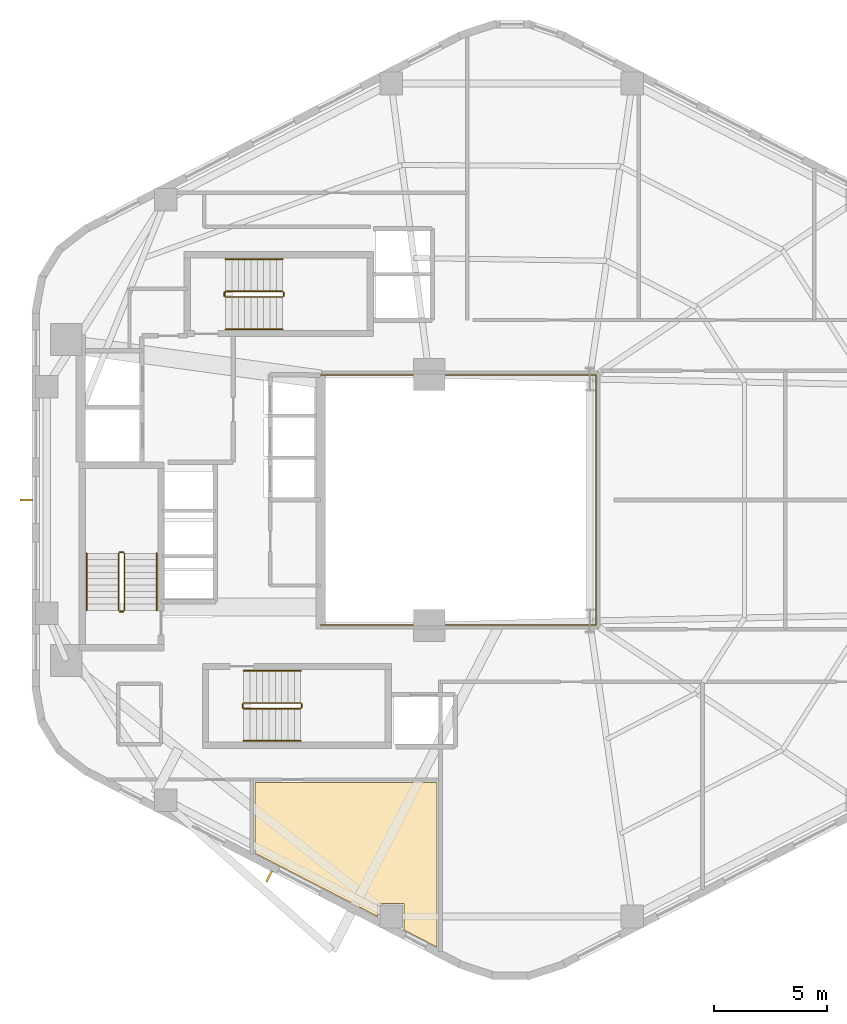
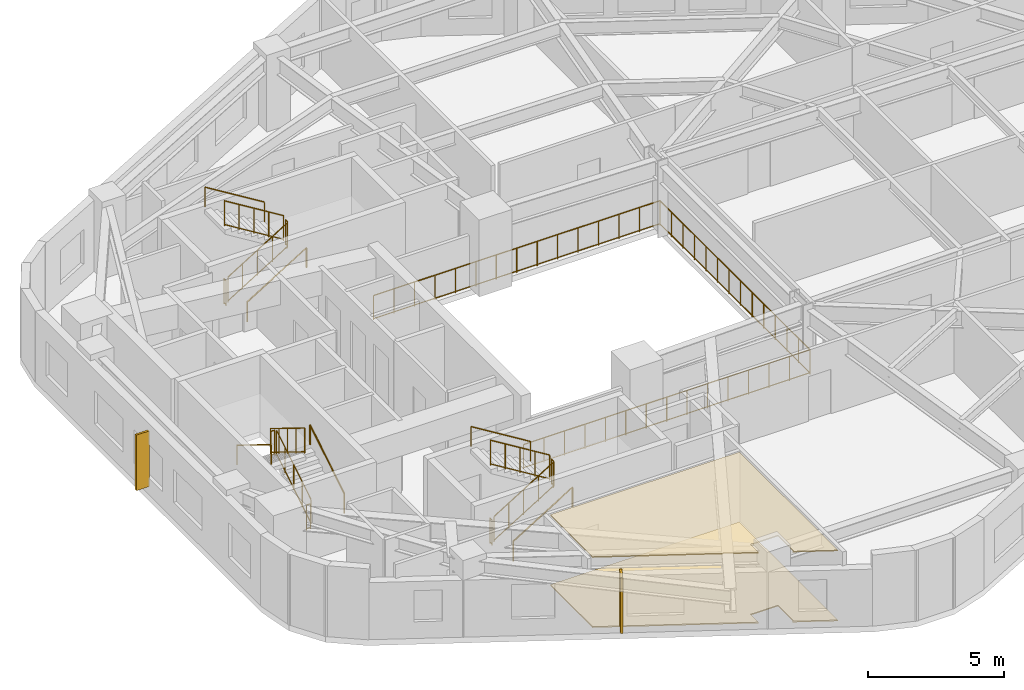
# One storey, part 6 of 6: 19 railings, 2 coverings, 2 shading devices.
"""IFC4 building model written with IfcOpenShell, lengths in metres."""

import ifcopenshell
import ifcopenshell.guid

model = None  # the IFC model being written
_history = None  # IfcOwnerHistory: only IFC2X3 demands one
_inside = {}  # id of a spatial element -> (the spatial element, [elements in it])
_under = {}  # id of a project, library or spatial element -> (it, [spatial elements below it])
_declared = {}  # id of a project -> (the project, [libraries it declares])
_typed = {}  # id of a type object -> (the type object, [elements of that type])
_made_of = {}  # id of a material, layer set ... -> (it, [elements and type objects made of it])


def new_model(schema):
    """Start an empty IFC model of exactly this schema.

    Asked for "IFC4X3", IfcOpenShell would pick the latest addendum, in which some entities
    have other attributes; the version numbers below select the first issue.
    IFC2X3 requires an IfcOwnerHistory on every rooted entity: one is made here for all.
    """
    global model, _history
    if schema == "IFC4X3":
        model = ifcopenshell.file(schema_version=(4, 3, 0, 0))
    else:
        model = ifcopenshell.file(schema=schema)
    _inside.clear()
    _under.clear()
    _declared.clear()
    _typed.clear()
    _made_of.clear()
    _history = None
    if model.schema == "IFC2X3":
        org = make("IfcOrganization", Name="unknown")
        user = make(
            "IfcPersonAndOrganization",
            ThePerson=make("IfcPerson", FamilyName="unknown"),
            TheOrganization=org,
        )
        app = make(
            "IfcApplication",
            ApplicationDeveloper=org,
            Version="unknown",
            ApplicationFullName="unknown",
            ApplicationIdentifier="unknown",
        )
        _history = make(
            "IfcOwnerHistory",
            OwningUser=user,
            OwningApplication=app,
            ChangeAction="ADDED",
            CreationDate=0,
        )
    return model


def make(cls, **values):
    """One entity of the class cls with the attributes given. An attribute that is None is left unset."""
    return model.create_entity(
        cls, **{name: value for name, value in values.items() if value is not None}
    )


def rooted(cls, **values):
    """An entity with a GlobalId (a new one), such as an element, a storey or a relation."""
    return make(cls, GlobalId=ifcopenshell.guid.new(), OwnerHistory=_history, **values)


def si_unit(unit_type, name, prefix=None):
    """IfcSIUnit, for example si_unit("LENGTHUNIT", "METRE", prefix="MILLI")."""
    return make("IfcSIUnit", UnitType=unit_type, Prefix=prefix, Name=name)


def assignment(units):
    """IfcUnitAssignment: the units of a project."""
    return None if units is None else make("IfcUnitAssignment", Units=units)


def point(xyz):
    """IfcCartesianPoint."""
    return None if xyz is None else make("IfcCartesianPoint", Coordinates=xyz)


def direction(xyz):
    """IfcDirection."""
    return None if xyz is None else make("IfcDirection", DirectionRatios=xyz)


def frame(location, z_axis=None, x_axis=None):
    """IfcAxis2Placement3D, a coordinate frame: its origin and axes. An axis left out is left unset."""
    return make(
        "IfcAxis2Placement3D",
        Location=point(location),
        Axis=direction(z_axis),
        RefDirection=direction(x_axis),
    )


def frame_2d(location, x_axis=None):
    """IfcAxis2Placement2D, a coordinate frame in the plane: its origin and x axis."""
    return make(
        "IfcAxis2Placement2D", Location=point(location), RefDirection=direction(x_axis)
    )


def origin():
    """The frame at (0, 0, 0) with its axes left unset."""
    return frame((0.0, 0.0, 0.0))


def origin_2d():
    """The frame at (0, 0) in the plane with its x axis left unset."""
    return frame_2d((0.0, 0.0))


def place(relative_to, where):
    """IfcLocalPlacement: puts the frame where relative to a parent placement (None: the world)."""
    return make(
        "IfcLocalPlacement", PlacementRelTo=relative_to, RelativePlacement=where
    )


def context(
    kind, dimensions, precision=None, world=None, true_north=None, identifier=None
):
    """IfcGeometricRepresentationContext, for example the 3D "Model" context."""
    return make(
        "IfcGeometricRepresentationContext",
        ContextIdentifier=identifier,
        ContextType=kind,
        CoordinateSpaceDimension=dimensions,
        Precision=precision,
        WorldCoordinateSystem=world,
        TrueNorth=true_north,
    )


def subcontext(parent, identifier, kind, view, scale=None):
    """IfcGeometricRepresentationSubContext, for example "Body" below "Model"."""
    return make(
        "IfcGeometricRepresentationSubContext",
        ContextIdentifier=identifier,
        ContextType=kind,
        ParentContext=parent,
        TargetScale=scale,
        TargetView=view,
    )


def project(units=None, contexts=None):
    """IfcProject with its units and contexts."""
    return rooted(
        "IfcProject",
        Name="project",
        RepresentationContexts=contexts,
        UnitsInContext=assignment(units),
    )


def spatial(cls, under=None, at=None, **own):
    """A site, building, storey or space (cls), placed at a placement, below another one or the project."""
    s = rooted(cls, ObjectPlacement=at, **own)
    if under is not None:
        _under.setdefault(under.id(), (under, []))[1].append(s)
    return s


def polyline(points):
    """IfcPolyline through the points."""
    return make("IfcPolyline", Points=[point(p) for p in points])


def profile(cls, at=None, kind="AREA", **sizes):
    """A parametric profile (cls). Its sizes go by their IFC names, for example OverallWidth=200.0."""
    return make(cls, ProfileType=kind, Position=at, **sizes)


def rectangle(**sizes):
    """IfcRectangleProfileDef."""
    return profile("IfcRectangleProfileDef", **sizes)


def circle(**sizes):
    """IfcCircleProfileDef."""
    return profile("IfcCircleProfileDef", **sizes)


def outline(outer, holes=None, kind="AREA"):
    """IfcArbitraryClosedProfileDef: a profile drawn as a closed curve; with holes, ...WithVoids."""
    if holes is None:
        return make("IfcArbitraryClosedProfileDef", ProfileType=kind, OuterCurve=outer)
    return make(
        "IfcArbitraryProfileDefWithVoids",
        ProfileType=kind,
        OuterCurve=outer,
        InnerCurves=holes,
    )


def extrude(swept, where, along, depth):
    """IfcExtrudedAreaSolid: the profile swept, set in the frame where, extruded along a direction by depth."""
    return make(
        "IfcExtrudedAreaSolid",
        SweptArea=swept,
        Position=where,
        ExtrudedDirection=direction(along),
        Depth=depth,
    )


def shape(context_of_items, identifier, shape_type, items):
    """IfcShapeRepresentation: the items that make up one representation, for example the "Body"."""
    return make(
        "IfcShapeRepresentation",
        ContextOfItems=context_of_items,
        RepresentationIdentifier=identifier,
        RepresentationType=shape_type,
        Items=items,
    )


def material(Name=None, Category=None):
    """IfcMaterial."""
    return make("IfcMaterial", Name=Name, Category=Category)


def layer(
    of_material, thickness, ventilated=None, Name=None, Category=None, Priority=None
):
    """IfcMaterialLayer: one layer of a wall or slab, of a material (None: an air gap)."""
    return make(
        "IfcMaterialLayer",
        Material=of_material,
        LayerThickness=thickness,
        IsVentilated=ventilated,
        Name=Name,
        Category=Category,
        Priority=Priority,
    )


def layer_set(layers, Name=None):
    """IfcMaterialLayerSet."""
    return make("IfcMaterialLayerSet", MaterialLayers=layers, LayerSetName=Name)


def made_of(thing, what):
    """Note that an element or type object is made of a material, layer set ...; save() writes the relation."""
    if what is not None:
        _made_of.setdefault(what.id(), (what, []))[1].append(thing)
    return thing


def type_object(cls, material=None, **own):
    """A type object (cls), such as IfcWallType, which elements share."""
    return made_of(rooted(cls, **own), material)


def element(
    cls,
    number,
    at=None,
    inside=None,
    cuts=None,
    type_object=None,
    material=None,
    context=None,
    identifier="Body",
    shape_type=None,
    held_by="IfcProductDefinitionShape",
    body=None,
    shapes=None,
    **own,
):
    """One element of the class cls, such as IfcWall. Its Tag is "e" and its number.

    at: its placement. inside: the storey or other place that contains it. cuts: it is an
    opening in that element (IfcRelVoidsElement). A single representation is given by context,
    identifier, shape_type and body (its items); several are given by shapes. held_by: the class
    of the entity that holds the representations. save() writes the other relations.
    """
    e = rooted(cls, Tag="e%d" % number, ObjectPlacement=at, **own)
    if body is not None:
        shapes = [shape(context, identifier, shape_type, body)]
    if shapes is not None:
        e.Representation = make(held_by, Representations=shapes)
    if inside is not None:
        _inside.setdefault(inside.id(), (inside, []))[1].append(e)
    if cuts is not None:
        rooted(
            "IfcRelVoidsElement", RelatingBuildingElement=cuts, RelatedOpeningElement=e
        )
    if type_object is not None:
        _typed.setdefault(type_object.id(), (type_object, []))[1].append(e)
    return made_of(e, material)


def aggregate(whole, parts):
    """IfcRelAggregates: a whole, such as a stair, and the parts it consists of."""
    return rooted("IfcRelAggregates", RelatingObject=whole, RelatedObjects=parts)


def save(model, path):
    """Write the relations noted so far, then the file.

    IfcRelAggregates (storeys below a building ...), IfcRelContainedInSpatialStructure (elements
    in a storey), IfcRelDefinesByType, IfcRelAssociatesMaterial and IfcRelDeclares: one each for
    every whole, place, type object, material and project.
    """
    for whole, parts in _under.values():
        aggregate(whole, parts)
    for where, things in _inside.values():
        rooted(
            "IfcRelContainedInSpatialStructure",
            RelatedElements=things,
            RelatingStructure=where,
        )
    for kind, things in _typed.values():
        rooted("IfcRelDefinesByType", RelatedObjects=things, RelatingType=kind)
    for what, things in _made_of.values():
        rooted("IfcRelAssociatesMaterial", RelatedObjects=things, RelatingMaterial=what)
    for by, libraries in _declared.values():
        rooted("IfcRelDeclares", RelatingContext=by, RelatedDefinitions=libraries)
    model.write(path)


model = new_model("IFC4")

# Units and contexts
model_context = context("Model", 3, precision=1e-05, world=origin(), true_north=direction((0.0, 1.0)))
body_context = subcontext(model_context, "Body", "Model", "MODEL_VIEW")
ifc_project = project(units=[si_unit("LENGTHUNIT", "METRE"), si_unit("AREAUNIT", "SQUARE_METRE"), si_unit("VOLUMEUNIT", "CUBIC_METRE"), si_unit("PLANEANGLEUNIT", "RADIAN"), si_unit("MASSUNIT", "GRAM", prefix="KILO"), si_unit("THERMODYNAMICTEMPERATUREUNIT", "KELVIN"), si_unit("POWERUNIT", "WATT")], contexts=[model_context])

# Site, building, storey
site_placement = place(None, origin())
site = spatial("IfcSite", under=ifc_project, at=site_placement, CompositionType="ELEMENT")
building_placement = place(site_placement, origin())
building = spatial("IfcBuilding", under=site, at=building_placement, Name="Skarre Station Tower", CompositionType="ELEMENT")
storey_placement = place(building_placement, frame((0.0, 0.0, 156.75)))
storey = spatial("IfcBuildingStorey", under=building, at=storey_placement, Name="L42", CompositionType="ELEMENT", Elevation=156.75)

# Railing
ifc_material_1 = material(Name="Bronze Anodized Steel & Laminated Glass Balustrade", Category="steel")
railing_type_1 = type_object("IfcRailingType", Name="Atrium Void & Mezzanine Guard Balustrade 1120", PredefinedType="GUARDRAIL", material=ifc_material_1)
railing_1_placement = place(storey_placement, frame((27.550048828125, 18.47998046875, 0.0)))
element("IfcRailing", 1, at=railing_1_placement, inside=storey, type_object=railing_type_1, Name="L42 Atrium Void Guard Balustrade", PredefinedType="GUARDRAIL", context=body_context, shape_type="SweptSolid", body=[
    extrude(circle(Radius=0.02392578125, at=origin_2d()), frame((0.0, 0.0, 1.09619140625), z_axis=(1.0, 0.0, 0.0), x_axis=(0.0, 1.0, 0.0)), (0.0, 0.0, 1.0), 12.169921875),
    extrude(circle(Radius=0.02099609375, at=origin_2d()), frame((0.0, 0.0, 0.06005859375), z_axis=(1.0, 0.0, 0.0), x_axis=(0.0, 1.0, 0.0)), (0.0, 0.0, 1.0), 12.169921875),
    extrude(circle(Radius=0.02392578125, at=origin_2d()), frame((12.169921875, 0.0, 1.09619140625), z_axis=(0.0, 1.0, 0.0), x_axis=(-1.0, 0.0, 0.0)), (0.0, 0.0, 1.0), 11.0400390625),
    extrude(circle(Radius=0.02099609375, at=origin_2d()), frame((12.169921875, 0.0, 0.06005859375), z_axis=(0.0, 1.0, 0.0), x_axis=(-1.0, 0.0, 0.0)), (0.0, 0.0, 1.0), 11.0400390625),
    extrude(circle(Radius=0.02392578125, at=origin_2d()), frame((12.169921875, 11.0400390625, 1.09619140625), z_axis=(-1.0, 0.0, 0.0), x_axis=(0.0, -1.0, 0.0)), (0.0, 0.0, 1.0), 12.169921875),
    extrude(circle(Radius=0.02099609375, at=origin_2d()), frame((12.169921875, 11.0400390625, 0.06005859375), z_axis=(-1.0, 0.0, 0.0), x_axis=(0.0, -1.0, 0.0)), (0.0, 0.0, 1.0), 12.169921875),
    extrude(circle(Radius=0.02099609375, at=origin_2d()), origin(), (0.0, 0.0, 1.0), 1.072021484375),
    extrude(circle(Radius=0.02099609375, at=origin_2d()), frame((0.869384765625, 0.0, 0.0)), (0.0, 0.0, 1.0), 1.072021484375),
    extrude(circle(Radius=0.02099609375, at=origin_2d()), frame((1.738525390625, 0.0, 0.0)), (0.0, 0.0, 1.0), 1.072021484375),
    extrude(circle(Radius=0.02099609375, at=origin_2d()), frame((2.60791015625, 0.0, 0.0)), (0.0, 0.0, 1.0), 1.072021484375),
    extrude(circle(Radius=0.02099609375, at=origin_2d()), frame((3.47705078125, 0.0, 0.0)), (0.0, 0.0, 1.0), 1.072021484375),
    extrude(circle(Radius=0.02099609375, at=origin_2d()), frame((4.346435546875, 0.0, 0.0)), (0.0, 0.0, 1.0), 1.072021484375),
    extrude(circle(Radius=0.02099609375, at=origin_2d()), frame((5.215576171875, 0.0, 0.0)), (0.0, 0.0, 1.0), 1.072021484375),
    extrude(circle(Radius=0.02099609375, at=origin_2d()), frame((6.0849609375, 0.0, 0.0)), (0.0, 0.0, 1.0), 1.072021484375),
    extrude(circle(Radius=0.02099609375, at=origin_2d()), frame((6.954345703125, 0.0, 0.0)), (0.0, 0.0, 1.0), 1.072021484375),
    extrude(circle(Radius=0.02099609375, at=origin_2d()), frame((7.823486328125, 0.0, 0.0)), (0.0, 0.0, 1.0), 1.072021484375),
    extrude(circle(Radius=0.02099609375, at=origin_2d()), frame((8.69287109375, 0.0, 0.0)), (0.0, 0.0, 1.0), 1.072021484375),
    extrude(circle(Radius=0.02099609375, at=origin_2d()), frame((9.56201171875, 0.0, 0.0)), (0.0, 0.0, 1.0), 1.072021484375),
    extrude(circle(Radius=0.02099609375, at=origin_2d()), frame((10.431396484375, 0.0, 0.0)), (0.0, 0.0, 1.0), 1.072021484375),
    extrude(circle(Radius=0.02099609375, at=origin_2d()), frame((11.300537109375, 0.0, 0.0)), (0.0, 0.0, 1.0), 1.072021484375),
    extrude(circle(Radius=0.02099609375, at=origin_2d()), frame((12.169921875, 0.0, 0.0)), (0.0, 0.0, 1.0), 1.072021484375),
    extrude(circle(Radius=0.02099609375, at=origin_2d()), frame((12.169921875, 0.84912109375, 0.0)), (0.0, 0.0, 1.0), 1.072021484375),
    extrude(circle(Radius=0.02099609375, at=origin_2d()), frame((12.169921875, 1.698486328125, 0.0)), (0.0, 0.0, 1.0), 1.072021484375),
    extrude(circle(Radius=0.02099609375, at=origin_2d()), frame((12.169921875, 2.547607421875, 0.0)), (0.0, 0.0, 1.0), 1.072021484375),
    extrude(circle(Radius=0.02099609375, at=origin_2d()), frame((12.169921875, 3.39697265625, 0.0)), (0.0, 0.0, 1.0), 1.072021484375),
    extrude(circle(Radius=0.02099609375, at=origin_2d()), frame((12.169921875, 4.24609375, 0.0)), (0.0, 0.0, 1.0), 1.072021484375),
    extrude(circle(Radius=0.02099609375, at=origin_2d()), frame((12.169921875, 5.095458984375, 0.0)), (0.0, 0.0, 1.0), 1.072021484375),
    extrude(circle(Radius=0.02099609375, at=origin_2d()), frame((12.169921875, 5.944580078125, 0.0)), (0.0, 0.0, 1.0), 1.072021484375),
    extrude(circle(Radius=0.02099609375, at=origin_2d()), frame((12.169921875, 6.7939453125, 0.0)), (0.0, 0.0, 1.0), 1.072021484375),
    extrude(circle(Radius=0.02099609375, at=origin_2d()), frame((12.169921875, 7.64306640625, 0.0)), (0.0, 0.0, 1.0), 1.072021484375),
    extrude(circle(Radius=0.02099609375, at=origin_2d()), frame((12.169921875, 8.492431640625, 0.0)), (0.0, 0.0, 1.0), 1.072021484375),
    extrude(circle(Radius=0.02099609375, at=origin_2d()), frame((12.169921875, 9.341552734375, 0.0)), (0.0, 0.0, 1.0), 1.072021484375),
    extrude(circle(Radius=0.02099609375, at=origin_2d()), frame((12.169921875, 10.19091796875, 0.0)), (0.0, 0.0, 1.0), 1.072021484375),
    extrude(circle(Radius=0.02099609375, at=origin_2d()), frame((12.169921875, 11.0400390625, 0.0)), (0.0, 0.0, 1.0), 1.072021484375),
    extrude(circle(Radius=0.02099609375, at=origin_2d()), frame((11.300537109375, 11.0400390625, 0.0)), (0.0, 0.0, 1.0), 1.072021484375),
    extrude(circle(Radius=0.02099609375, at=origin_2d()), frame((10.431396484375, 11.0400390625, 0.0)), (0.0, 0.0, 1.0), 1.072021484375),
    extrude(circle(Radius=0.02099609375, at=origin_2d()), frame((9.56201171875, 11.0400390625, 0.0)), (0.0, 0.0, 1.0), 1.072021484375),
    extrude(circle(Radius=0.02099609375, at=origin_2d()), frame((8.69287109375, 11.0400390625, 0.0)), (0.0, 0.0, 1.0), 1.072021484375),
    extrude(circle(Radius=0.02099609375, at=origin_2d()), frame((7.823486328125, 11.0400390625, 0.0)), (0.0, 0.0, 1.0), 1.072021484375),
    extrude(circle(Radius=0.02099609375, at=origin_2d()), frame((6.954345703125, 11.0400390625, 0.0)), (0.0, 0.0, 1.0), 1.072021484375),
    extrude(circle(Radius=0.02099609375, at=origin_2d()), frame((6.0849609375, 11.0400390625, 0.0)), (0.0, 0.0, 1.0), 1.072021484375),
    extrude(circle(Radius=0.02099609375, at=origin_2d()), frame((5.215576171875, 11.0400390625, 0.0)), (0.0, 0.0, 1.0), 1.072021484375),
    extrude(circle(Radius=0.02099609375, at=origin_2d()), frame((4.346435546875, 11.0400390625, 0.0)), (0.0, 0.0, 1.0), 1.072021484375),
    extrude(circle(Radius=0.02099609375, at=origin_2d()), frame((3.47705078125, 11.0400390625, 0.0)), (0.0, 0.0, 1.0), 1.072021484375),
    extrude(circle(Radius=0.02099609375, at=origin_2d()), frame((2.60791015625, 11.0400390625, 0.0)), (0.0, 0.0, 1.0), 1.072021484375),
    extrude(circle(Radius=0.02099609375, at=origin_2d()), frame((1.738525390625, 11.0400390625, 0.0)), (0.0, 0.0, 1.0), 1.072021484375),
    extrude(circle(Radius=0.02099609375, at=origin_2d()), frame((0.869384765625, 11.0400390625, 0.0)), (0.0, 0.0, 1.0), 1.072021484375),
    extrude(circle(Radius=0.02099609375, at=origin_2d()), frame((0.0, 11.0400390625, 0.0)), (0.0, 0.0, 1.0), 1.072021484375),
])

# Coverings
ifc_material_2 = material(Name="Honed Jura Limestone & Calcium-Sulfate Access Tile", Category="masonry")
ifc_layer_1 = layer(ifc_material_2, 0.050048828125, Name="Honed Jura Limestone & Calcium-Sulfate Access Tile")
ifc_layer_set_1 = layer_set([ifc_layer_1], Name="Honed Jura Limestone & Calcium-Sulfate Access Tile")
covering_type_1 = type_object("IfcCoveringType", Name="Honed Limestone & Raised Access Floor Finish 50", PredefinedType="FLOORING", material=ifc_layer_set_1)
covering_1_placement = place(storey_placement, origin())
element("IfcCovering", 2, at=covering_1_placement, inside=storey, type_object=covering_type_1, Name="L42 Limestone Access Flooring 1", PredefinedType="FLOORING", context=body_context, shape_type="SweptSolid", body=[
    extrude(outline(polyline([(24.659912109375, 8.3798828125), (30.089111328125, 5.577880859375), (30.089111328125, 6.162109375), (31.2490234375, 6.162109375), (31.2490234375, 5.001953125), (31.205078125, 5.001953125), (32.68994140625, 4.235107421875), (32.68994140625, 11.5), (24.659912109375, 11.5), (24.659912109375, 8.3798828125)])), origin(), (0.0, 0.0, 1.0), 0.050048828125),
])
ifc_material_3 = material(Name="Perforated Nordic Birch Veneer & Mineral Wool", Category="wood")
ifc_layer_2 = layer(ifc_material_3, 0.044921875, Name="Perforated Nordic Birch Veneer & Mineral Wool")
ifc_layer_set_2 = layer_set([ifc_layer_2], Name="Perforated Nordic Birch Veneer & Mineral Wool")
covering_type_2 = type_object("IfcCoveringType", Name="Nordic Birch Slatted Acoustic Suspended Ceiling 45", PredefinedType="CEILING", material=ifc_layer_set_2)
covering_2_placement = place(storey_placement, frame((0.0, 0.0, 3.14501953125)))
element("IfcCovering", 3, at=covering_2_placement, inside=storey, type_object=covering_type_2, Name="L42 Acoustic Birch Ceiling 1", PredefinedType="CEILING", context=body_context, shape_type="SweptSolid", body=[
    extrude(outline(polyline([(24.659912109375, 8.3798828125), (30.089111328125, 5.577880859375), (30.089111328125, 6.162109375), (31.2490234375, 6.162109375), (31.2490234375, 5.001953125), (31.205078125, 5.001953125), (32.68994140625, 4.235107421875), (32.68994140625, 11.5), (24.659912109375, 11.5), (24.659912109375, 8.3798828125)])), origin(), (0.0, 0.0, 1.0), 0.044921875),
])

# Shading devices
ifc_material_4 = material(Name="Bronze Anodized Extruded Aluminium 6063-T6", Category="aluminium")
shading_device_type = type_object("IfcShadingDeviceType", Name="Nordic Bronze Vertical Solar Fin 550x90", PredefinedType="SHUTTER", material=ifc_material_4)
for number, where, z_axis, x_axis, name in (
    (4, (14.531982421875, 24.0, 0.35009765625), (0.0, 0.0, 1.0), (-1.0, 0.0, 0.0), "L42 Facet 2 Bronze Solar Fin"),
    (5, (25.27587890625, 7.35302734375, 0.35009765625), (0.0, 0.0, 1.0), (-0.458649554484, -0.888617232655, 0.0), "L42 Facet 3 Bronze Solar Fin"),
):
    element("IfcShadingDevice", number, at=place(storey_placement, frame(where, z_axis=z_axis, x_axis=x_axis)), inside=storey, type_object=shading_device_type, Name=name, PredefinedType="SHUTTER", context=body_context, shape_type="SweptSolid", body=[
        extrude(rectangle(XDim=0.550048828125, YDim=0.090087890625, at=origin_2d()), origin(), (0.0, 0.0, 1.0), 2.5),
    ])

# Railings
ifc_material_5 = material(Name="Powder-Coated Tubular Steel", Category="steel")
railing_type_2 = type_object("IfcRailingType", Name="Painted Steel Ramp & Stair Handrail 920", PredefinedType="HANDRAIL", material=ifc_material_5)
railing_2_placement = place(storey_placement, frame((20.300048828125, 19.1201171875, 0.172607421875)))
element("IfcRailing", 6, at=railing_2_placement, inside=storey, type_object=railing_type_2, Name="L42 ST-1 stair handrail 1", PredefinedType="HANDRAIL", context=body_context, shape_type="SweptSolid", body=[
    extrude(circle(Radius=0.02392578125, at=origin_2d()), frame((0.0, 0.0, 0.8759765625), z_axis=(0.0, 0.851377800117, 0.52455299205), x_axis=(-1.0, 0.0, 0.0)), (0.0, 0.0, 1.0), 2.959716796875),
    extrude(circle(Radius=0.02099609375, at=origin_2d()), origin(), (0.0, 0.0, 1.0), 0.851806640625),
    extrude(circle(Radius=0.02099609375, at=origin_2d()), frame((0.0, 2.519775390625, 1.552490234375)), (0.0, 0.0, 1.0), 0.851806640625),
])
railing_3_placement = place(storey_placement, frame((17.199951171875, 21.639892578125, 1.8974609375)))
element("IfcRailing", 7, at=railing_3_placement, inside=storey, type_object=railing_type_2, Name="L42 ST-1 stair handrail 2", PredefinedType="HANDRAIL", context=body_context, shape_type="SweptSolid", body=[
    extrude(circle(Radius=0.02392578125, at=origin_2d()), frame((0.0, 0.0, 0.8759765625), z_axis=(0.0, -0.851377800117, 0.52455299205), x_axis=(1.0, 0.0, 0.0)), (0.0, 0.0, 1.0), 2.959716796875),
    extrude(circle(Radius=0.02099609375, at=origin_2d()), origin(), (0.0, 0.0, 1.0), 0.851806640625),
    extrude(circle(Radius=0.02099609375, at=origin_2d()), frame((0.0, -2.519775390625, 1.552490234375)), (0.0, 0.0, 1.0), 0.851806640625),
])
railing_4_placement = place(storey_placement, frame((24.14990234375, 13.35009765625, 0.172607421875)))
element("IfcRailing", 8, at=railing_4_placement, inside=storey, type_object=railing_type_2, Name="L42 ST-2 stair handrail 1", PredefinedType="HANDRAIL", context=body_context, shape_type="SweptSolid", body=[
    extrude(circle(Radius=0.02392578125, at=origin_2d()), frame((0.0, 0.0, 0.8759765625), z_axis=(0.851400495292, 0.0, 0.524516154772), x_axis=(0.0, 1.0, 0.0)), (0.0, 0.0, 1.0), 2.9599609375),
    extrude(circle(Radius=0.02099609375, at=origin_2d()), origin(), (0.0, 0.0, 1.0), 0.851806640625),
    extrude(circle(Radius=0.02099609375, at=origin_2d()), frame((2.52001953125, 0.0, 1.552490234375)), (0.0, 0.0, 1.0), 0.851806640625),
])
railing_5_placement = place(storey_placement, frame((26.669921875, 16.449951171875, 1.8974609375)))
element("IfcRailing", 9, at=railing_5_placement, inside=storey, type_object=railing_type_2, Name="L42 ST-2 stair handrail 2", PredefinedType="HANDRAIL", context=body_context, shape_type="SweptSolid", body=[
    extrude(circle(Radius=0.02392578125, at=origin_2d()), frame((0.0, 0.0, 0.8759765625), z_axis=(-0.851400495292, 0.0, 0.524516154772), x_axis=(0.0, -1.0, 0.0)), (0.0, 0.0, 1.0), 2.9599609375),
    extrude(circle(Radius=0.02099609375, at=origin_2d()), origin(), (0.0, 0.0, 1.0), 0.851806640625),
    extrude(circle(Radius=0.02099609375, at=origin_2d()), frame((-2.52001953125, 0.0, 1.552490234375)), (0.0, 0.0, 1.0), 0.851806640625),
])
railing_6_placement = place(storey_placement, frame((23.35009765625, 31.550048828125, 0.172607421875)))
element("IfcRailing", 10, at=railing_6_placement, inside=storey, type_object=railing_type_2, Name="L42 ST-3 stair handrail 1", PredefinedType="HANDRAIL", context=body_context, shape_type="SweptSolid", body=[
    extrude(circle(Radius=0.02392578125, at=origin_2d()), frame((0.0, 0.0, 0.8759765625), z_axis=(0.851400495292, 0.0, 0.524516154772), x_axis=(0.0, 1.0, 0.0)), (0.0, 0.0, 1.0), 2.9599609375),
    extrude(circle(Radius=0.02099609375, at=origin_2d()), origin(), (0.0, 0.0, 1.0), 0.851806640625),
    extrude(circle(Radius=0.02099609375, at=origin_2d()), frame((2.52001953125, 0.0, 1.552490234375)), (0.0, 0.0, 1.0), 0.851806640625),
])
railing_7_placement = place(storey_placement, frame((25.8701171875, 34.64990234375, 1.8974609375)))
element("IfcRailing", 11, at=railing_7_placement, inside=storey, type_object=railing_type_2, Name="L42 ST-3 stair handrail 2", PredefinedType="HANDRAIL", context=body_context, shape_type="SweptSolid", body=[
    extrude(circle(Radius=0.02392578125, at=origin_2d()), frame((0.0, 0.0, 0.8759765625), z_axis=(-0.851400495292, 0.0, 0.524516154772), x_axis=(0.0, -1.0, 0.0)), (0.0, 0.0, 1.0), 2.9599609375),
    extrude(circle(Radius=0.02099609375, at=origin_2d()), origin(), (0.0, 0.0, 1.0), 0.851806640625),
    extrude(circle(Radius=0.02099609375, at=origin_2d()), frame((-2.52001953125, 0.0, 1.552490234375)), (0.0, 0.0, 1.0), 0.851806640625),
])
railing_type_3 = type_object("IfcRailingType", Name="Painted Steel Stairwell Guardrail 1100", PredefinedType="GUARDRAIL", material=ifc_material_5)
railing_8_placement = place(storey_placement, frame((18.8798828125, 19.1201171875, 0.172607421875)))
element("IfcRailing", 12, at=railing_8_placement, inside=storey, type_object=railing_type_3, Name="L42 ST-1 stair guard 1", PredefinedType="GUARDRAIL", context=body_context, shape_type="SweptSolid", body=[
    extrude(circle(Radius=0.02392578125, at=origin_2d()), frame((0.0, 0.0, 1.1259765625), z_axis=(0.0, 0.851377800117, 0.52455299205), x_axis=(-1.0, 0.0, 0.0)), (0.0, 0.0, 1.0), 2.959716796875),
    extrude(circle(Radius=0.02099609375, at=origin_2d()), frame((0.0, 0.0, 0.06005859375), z_axis=(0.0, 0.851377800117, 0.52455299205), x_axis=(-1.0, 0.0, 0.0)), (0.0, 0.0, 1.0), 2.959716796875),
    extrude(circle(Radius=0.02099609375, at=origin_2d()), origin(), (0.0, 0.0, 1.0), 1.101806640625),
    extrude(circle(Radius=0.02099609375, at=origin_2d()), frame((0.0, 0.6298828125, 0.38818359375)), (0.0, 0.0, 1.0), 1.101806640625),
    extrude(circle(Radius=0.02099609375, at=origin_2d()), frame((0.0, 1.259765625, 0.7763671875)), (0.0, 0.0, 1.0), 1.101806640625),
    extrude(circle(Radius=0.02099609375, at=origin_2d()), frame((0.0, 1.889892578125, 1.164306640625)), (0.0, 0.0, 1.0), 1.101806640625),
    extrude(circle(Radius=0.02099609375, at=origin_2d()), frame((0.0, 2.519775390625, 1.552490234375)), (0.0, 0.0, 1.0), 1.101806640625),
])
railing_9_placement = place(storey_placement, frame((18.830078125, 21.68994140625, 1.72509765625)))
element("IfcRailing", 13, at=railing_9_placement, inside=storey, type_object=railing_type_3, Name="L42 ST-1 stair guard 2", PredefinedType="GUARDRAIL", context=body_context, shape_type="SweptSolid", body=[
    extrude(circle(Radius=0.02392578125, at=origin_2d()), frame((0.0, 0.0, 1.1259765625), z_axis=(-1.0, 0.0, 0.0), x_axis=(0.0, -1.0, 0.0)), (0.0, 0.0, 1.0), 0.16015625),
    extrude(circle(Radius=0.02099609375, at=origin_2d()), frame((0.0, 0.0, 0.06005859375), z_axis=(-1.0, 0.0, 0.0), x_axis=(0.0, -1.0, 0.0)), (0.0, 0.0, 1.0), 0.16015625),
    extrude(circle(Radius=0.02099609375, at=origin_2d()), origin(), (0.0, 0.0, 1.0), 1.101806640625),
    extrude(circle(Radius=0.02099609375, at=origin_2d()), frame((-0.16015625, 0.0, 0.0)), (0.0, 0.0, 1.0), 1.101806640625),
])
railing_10_placement = place(storey_placement, frame((18.6201171875, 21.639892578125, 1.8974609375)))
element("IfcRailing", 14, at=railing_10_placement, inside=storey, type_object=railing_type_3, Name="L42 ST-1 stair guard 3", PredefinedType="GUARDRAIL", context=body_context, shape_type="SweptSolid", body=[
    extrude(circle(Radius=0.02392578125, at=origin_2d()), frame((0.0, 0.0, 1.1259765625), z_axis=(0.0, -0.851377800117, 0.52455299205), x_axis=(1.0, 0.0, 0.0)), (0.0, 0.0, 1.0), 2.959716796875),
    extrude(circle(Radius=0.02099609375, at=origin_2d()), frame((0.0, 0.0, 0.06005859375), z_axis=(0.0, -0.851377800117, 0.52455299205), x_axis=(1.0, 0.0, 0.0)), (0.0, 0.0, 1.0), 2.959716796875),
    extrude(circle(Radius=0.02099609375, at=origin_2d()), origin(), (0.0, 0.0, 1.0), 1.101806640625),
    extrude(circle(Radius=0.02099609375, at=origin_2d()), frame((0.0, -0.6298828125, 0.38818359375)), (0.0, 0.0, 1.0), 1.101806640625),
    extrude(circle(Radius=0.02099609375, at=origin_2d()), frame((0.0, -1.259765625, 0.7763671875)), (0.0, 0.0, 1.0), 1.101806640625),
    extrude(circle(Radius=0.02099609375, at=origin_2d()), frame((0.0, -1.889892578125, 1.164306640625)), (0.0, 0.0, 1.0), 1.101806640625),
    extrude(circle(Radius=0.02099609375, at=origin_2d()), frame((0.0, -2.519775390625, 1.552490234375)), (0.0, 0.0, 1.0), 1.101806640625),
])
railing_11_placement = place(storey_placement, frame((18.830078125, 19.070068359375, 0.0)))
element("IfcRailing", 15, at=railing_11_placement, inside=storey, type_object=railing_type_3, Name="L42 ST-1 stair guard 4", PredefinedType="GUARDRAIL", context=body_context, shape_type="SweptSolid", body=[
    extrude(circle(Radius=0.02392578125, at=origin_2d()), frame((0.0, 0.0, 1.1259765625), z_axis=(-1.0, 0.0, 0.0), x_axis=(0.0, -1.0, 0.0)), (0.0, 0.0, 1.0), 0.16015625),
    extrude(circle(Radius=0.02099609375, at=origin_2d()), frame((0.0, 0.0, 0.06005859375), z_axis=(-1.0, 0.0, 0.0), x_axis=(0.0, -1.0, 0.0)), (0.0, 0.0, 1.0), 0.16015625),
    extrude(circle(Radius=0.02099609375, at=origin_2d()), origin(), (0.0, 0.0, 1.0), 1.101806640625),
    extrude(circle(Radius=0.02099609375, at=origin_2d()), frame((-0.16015625, 0.0, 0.0)), (0.0, 0.0, 1.0), 1.101806640625),
])
railing_12_placement = place(storey_placement, frame((24.14990234375, 14.77001953125, 0.172607421875)))
element("IfcRailing", 16, at=railing_12_placement, inside=storey, type_object=railing_type_3, Name="L42 ST-2 stair guard 1", PredefinedType="GUARDRAIL", context=body_context, shape_type="SweptSolid", body=[
    extrude(circle(Radius=0.02392578125, at=origin_2d()), frame((0.0, 0.0, 1.1259765625), z_axis=(0.851400495292, 0.0, 0.524516154772), x_axis=(0.0, 1.0, 0.0)), (0.0, 0.0, 1.0), 2.9599609375),
    extrude(circle(Radius=0.02099609375, at=origin_2d()), frame((0.0, 0.0, 0.06005859375), z_axis=(0.851400495292, 0.0, 0.524516154772), x_axis=(0.0, 1.0, 0.0)), (0.0, 0.0, 1.0), 2.9599609375),
    extrude(circle(Radius=0.02099609375, at=origin_2d()), origin(), (0.0, 0.0, 1.0), 1.101806640625),
    extrude(circle(Radius=0.02099609375, at=origin_2d()), frame((0.6298828125, 0.0, 0.38818359375)), (0.0, 0.0, 1.0), 1.101806640625),
    extrude(circle(Radius=0.02099609375, at=origin_2d()), frame((1.260009765625, 0.0, 0.7763671875)), (0.0, 0.0, 1.0), 1.101806640625),
    extrude(circle(Radius=0.02099609375, at=origin_2d()), frame((1.89013671875, 0.0, 1.164306640625)), (0.0, 0.0, 1.0), 1.101806640625),
    extrude(circle(Radius=0.02099609375, at=origin_2d()), frame((2.52001953125, 0.0, 1.552490234375)), (0.0, 0.0, 1.0), 1.101806640625),
])
railing_13_placement = place(storey_placement, frame((26.719970703125, 14.820068359375, 1.72509765625)))
element("IfcRailing", 17, at=railing_13_placement, inside=storey, type_object=railing_type_3, Name="L42 ST-2 stair guard 2", PredefinedType="GUARDRAIL", context=body_context, shape_type="SweptSolid", body=[
    extrude(circle(Radius=0.02392578125, at=origin_2d()), frame((0.0, 0.0, 1.1259765625), z_axis=(0.0, 1.0, 0.0), x_axis=(-1.0, 0.0, 0.0)), (0.0, 0.0, 1.0), 0.159912109375),
    extrude(circle(Radius=0.02099609375, at=origin_2d()), frame((0.0, 0.0, 0.06005859375), z_axis=(0.0, 1.0, 0.0), x_axis=(-1.0, 0.0, 0.0)), (0.0, 0.0, 1.0), 0.159912109375),
    extrude(circle(Radius=0.02099609375, at=origin_2d()), origin(), (0.0, 0.0, 1.0), 1.101806640625),
    extrude(circle(Radius=0.02099609375, at=origin_2d()), frame((0.0, 0.159912109375, 0.0)), (0.0, 0.0, 1.0), 1.101806640625),
])
railing_14_placement = place(storey_placement, frame((26.669921875, 15.030029296875, 1.8974609375)))
element("IfcRailing", 18, at=railing_14_placement, inside=storey, type_object=railing_type_3, Name="L42 ST-2 stair guard 3", PredefinedType="GUARDRAIL", context=body_context, shape_type="SweptSolid", body=[
    extrude(circle(Radius=0.02392578125, at=origin_2d()), frame((0.0, 0.0, 1.1259765625), z_axis=(-0.851400495292, 0.0, 0.524516154772), x_axis=(0.0, -1.0, 0.0)), (0.0, 0.0, 1.0), 2.9599609375),
    extrude(circle(Radius=0.02099609375, at=origin_2d()), frame((0.0, 0.0, 0.06005859375), z_axis=(-0.851400495292, 0.0, 0.524516154772), x_axis=(0.0, -1.0, 0.0)), (0.0, 0.0, 1.0), 2.9599609375),
    extrude(circle(Radius=0.02099609375, at=origin_2d()), origin(), (0.0, 0.0, 1.0), 1.101806640625),
    extrude(circle(Radius=0.02099609375, at=origin_2d()), frame((-0.6298828125, 0.0, 0.38818359375)), (0.0, 0.0, 1.0), 1.101806640625),
    extrude(circle(Radius=0.02099609375, at=origin_2d()), frame((-1.260009765625, 0.0, 0.7763671875)), (0.0, 0.0, 1.0), 1.101806640625),
    extrude(circle(Radius=0.02099609375, at=origin_2d()), frame((-1.89013671875, 0.0, 1.164306640625)), (0.0, 0.0, 1.0), 1.101806640625),
    extrude(circle(Radius=0.02099609375, at=origin_2d()), frame((-2.52001953125, 0.0, 1.552490234375)), (0.0, 0.0, 1.0), 1.101806640625),
])
railing_15_placement = place(storey_placement, frame((24.10009765625, 14.820068359375, 0.0)))
element("IfcRailing", 19, at=railing_15_placement, inside=storey, type_object=railing_type_3, Name="L42 ST-2 stair guard 4", PredefinedType="GUARDRAIL", context=body_context, shape_type="SweptSolid", body=[
    extrude(circle(Radius=0.02392578125, at=origin_2d()), frame((0.0, 0.0, 1.1259765625), z_axis=(0.0, 1.0, 0.0), x_axis=(-1.0, 0.0, 0.0)), (0.0, 0.0, 1.0), 0.159912109375),
    extrude(circle(Radius=0.02099609375, at=origin_2d()), frame((0.0, 0.0, 0.06005859375), z_axis=(0.0, 1.0, 0.0), x_axis=(-1.0, 0.0, 0.0)), (0.0, 0.0, 1.0), 0.159912109375),
    extrude(circle(Radius=0.02099609375, at=origin_2d()), origin(), (0.0, 0.0, 1.0), 1.101806640625),
    extrude(circle(Radius=0.02099609375, at=origin_2d()), frame((0.0, 0.159912109375, 0.0)), (0.0, 0.0, 1.0), 1.101806640625),
])
railing_16_placement = place(storey_placement, frame((23.35009765625, 32.969970703125, 0.172607421875)))
element("IfcRailing", 20, at=railing_16_placement, inside=storey, type_object=railing_type_3, Name="L42 ST-3 stair guard 1", PredefinedType="GUARDRAIL", context=body_context, shape_type="SweptSolid", body=[
    extrude(circle(Radius=0.02392578125, at=origin_2d()), frame((0.0, 0.0, 1.1259765625), z_axis=(0.851400495292, 0.0, 0.524516154772), x_axis=(0.0, 1.0, 0.0)), (0.0, 0.0, 1.0), 2.9599609375),
    extrude(circle(Radius=0.02099609375, at=origin_2d()), frame((0.0, 0.0, 0.06005859375), z_axis=(0.851400495292, 0.0, 0.524516154772), x_axis=(0.0, 1.0, 0.0)), (0.0, 0.0, 1.0), 2.9599609375),
    extrude(circle(Radius=0.02099609375, at=origin_2d()), origin(), (0.0, 0.0, 1.0), 1.101806640625),
    extrude(circle(Radius=0.02099609375, at=origin_2d()), frame((0.6298828125, 0.0, 0.38818359375)), (0.0, 0.0, 1.0), 1.101806640625),
    extrude(circle(Radius=0.02099609375, at=origin_2d()), frame((1.260009765625, 0.0, 0.7763671875)), (0.0, 0.0, 1.0), 1.101806640625),
    extrude(circle(Radius=0.02099609375, at=origin_2d()), frame((1.89013671875, 0.0, 1.164306640625)), (0.0, 0.0, 1.0), 1.101806640625),
    extrude(circle(Radius=0.02099609375, at=origin_2d()), frame((2.52001953125, 0.0, 1.552490234375)), (0.0, 0.0, 1.0), 1.101806640625),
])
railing_17_placement = place(storey_placement, frame((25.919921875, 33.02001953125, 1.72509765625)))
element("IfcRailing", 21, at=railing_17_placement, inside=storey, type_object=railing_type_3, Name="L42 ST-3 stair guard 2", PredefinedType="GUARDRAIL", context=body_context, shape_type="SweptSolid", body=[
    extrude(circle(Radius=0.02392578125, at=origin_2d()), frame((0.0, 0.0, 1.1259765625), z_axis=(0.0, 1.0, 0.0), x_axis=(-1.0, 0.0, 0.0)), (0.0, 0.0, 1.0), 0.159912109375),
    extrude(circle(Radius=0.02099609375, at=origin_2d()), frame((0.0, 0.0, 0.06005859375), z_axis=(0.0, 1.0, 0.0), x_axis=(-1.0, 0.0, 0.0)), (0.0, 0.0, 1.0), 0.159912109375),
    extrude(circle(Radius=0.02099609375, at=origin_2d()), origin(), (0.0, 0.0, 1.0), 1.101806640625),
    extrude(circle(Radius=0.02099609375, at=origin_2d()), frame((0.0, 0.159912109375, 0.0)), (0.0, 0.0, 1.0), 1.101806640625),
])
railing_18_placement = place(storey_placement, frame((25.8701171875, 33.22998046875, 1.8974609375)))
element("IfcRailing", 22, at=railing_18_placement, inside=storey, type_object=railing_type_3, Name="L42 ST-3 stair guard 3", PredefinedType="GUARDRAIL", context=body_context, shape_type="SweptSolid", body=[
    extrude(circle(Radius=0.02392578125, at=origin_2d()), frame((0.0, 0.0, 1.1259765625), z_axis=(-0.851400495292, 0.0, 0.524516154772), x_axis=(0.0, -1.0, 0.0)), (0.0, 0.0, 1.0), 2.9599609375),
    extrude(circle(Radius=0.02099609375, at=origin_2d()), frame((0.0, 0.0, 0.06005859375), z_axis=(-0.851400495292, 0.0, 0.524516154772), x_axis=(0.0, -1.0, 0.0)), (0.0, 0.0, 1.0), 2.9599609375),
    extrude(circle(Radius=0.02099609375, at=origin_2d()), origin(), (0.0, 0.0, 1.0), 1.101806640625),
    extrude(circle(Radius=0.02099609375, at=origin_2d()), frame((-0.6298828125, 0.0, 0.38818359375)), (0.0, 0.0, 1.0), 1.101806640625),
    extrude(circle(Radius=0.02099609375, at=origin_2d()), frame((-1.260009765625, 0.0, 0.7763671875)), (0.0, 0.0, 1.0), 1.101806640625),
    extrude(circle(Radius=0.02099609375, at=origin_2d()), frame((-1.89013671875, 0.0, 1.164306640625)), (0.0, 0.0, 1.0), 1.101806640625),
    extrude(circle(Radius=0.02099609375, at=origin_2d()), frame((-2.52001953125, 0.0, 1.552490234375)), (0.0, 0.0, 1.0), 1.101806640625),
])
railing_19_placement = place(storey_placement, frame((23.300048828125, 33.02001953125, 0.0)))
element("IfcRailing", 23, at=railing_19_placement, inside=storey, type_object=railing_type_3, Name="L42 ST-3 stair guard 4", PredefinedType="GUARDRAIL", context=body_context, shape_type="SweptSolid", body=[
    extrude(circle(Radius=0.02392578125, at=origin_2d()), frame((0.0, 0.0, 1.1259765625), z_axis=(0.0, 1.0, 0.0), x_axis=(-1.0, 0.0, 0.0)), (0.0, 0.0, 1.0), 0.159912109375),
    extrude(circle(Radius=0.02099609375, at=origin_2d()), frame((0.0, 0.0, 0.06005859375), z_axis=(0.0, 1.0, 0.0), x_axis=(-1.0, 0.0, 0.0)), (0.0, 0.0, 1.0), 0.159912109375),
    extrude(circle(Radius=0.02099609375, at=origin_2d()), origin(), (0.0, 0.0, 1.0), 1.101806640625),
    extrude(circle(Radius=0.02099609375, at=origin_2d()), frame((0.0, 0.159912109375, 0.0)), (0.0, 0.0, 1.0), 1.101806640625),
])

save(model, "model.ifc")
